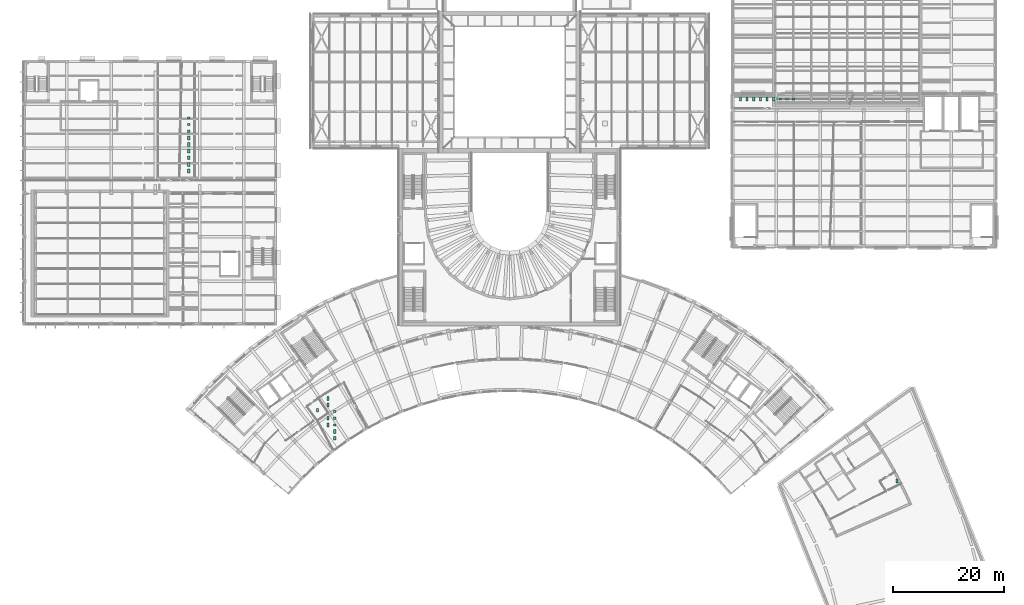
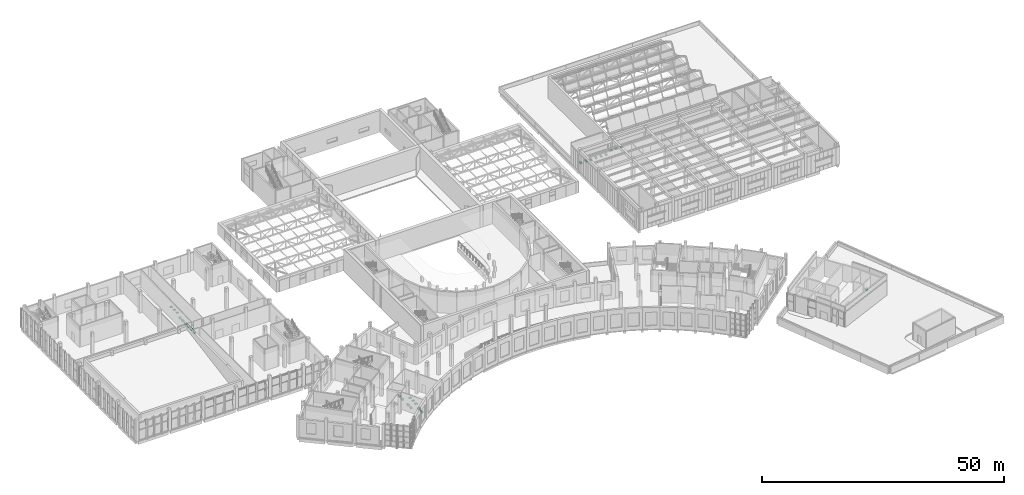
# One storey, part 132 of 132: 29 sanitary terminals.
"""IFC4 building model written with IfcOpenShell, lengths in metres."""

from ifc_helpers import new_model, si_unit, direction, frame, origin, origin_2d, place, context, subcontext, project, spatial, rectangle, extrude, material, type_object, element, save


model = new_model("IFC4")

# Units and contexts
model_context = context("Model", 3, precision=1e-05, world=origin(), true_north=direction((0.0, 1.0)))
body_context = subcontext(model_context, "Body", "Model", "MODEL_VIEW")
ifc_project = project(units=[si_unit("LENGTHUNIT", "METRE"), si_unit("AREAUNIT", "SQUARE_METRE"), si_unit("VOLUMEUNIT", "CUBIC_METRE"), si_unit("PLANEANGLEUNIT", "RADIAN"), si_unit("MASSUNIT", "GRAM", prefix="KILO")], contexts=[model_context])

# Site, building, storey
site_placement = place(None, origin())
site = spatial("IfcSite", under=ifc_project, at=site_placement, CompositionType="ELEMENT")
building_placement = place(site_placement, origin())
building = spatial("IfcBuilding", under=site, at=building_placement, Name="Lunette Opera House", CompositionType="ELEMENT")
storey_placement = place(building_placement, frame((0.0, 0.0, 17.0)))
storey = spatial("IfcBuildingStorey", under=building, at=storey_placement, Name="L03", CompositionType="ELEMENT", Elevation=17.0)

# Sanitary terminals
ifc_material_1 = material(Name="Ceramic")
sanitary_terminal_type_1 = type_object("IfcSanitaryTerminalType", Name="WASH BASIN", PredefinedType="WASHHANDBASIN", material=ifc_material_1)
for number, where, z_axis, x_axis, name in (
    (1, (64.385986328125, 46.034912109375, 0.7001953125), (0.0, 0.0, 1.0), (1.0, 0.0, 0.0), "Wash basin Public WC L03"),
    (2, (64.385986328125, 47.235107421875, 0.7001953125), (0.0, 0.0, 1.0), (1.0, 0.0, 0.0), "Wash basin Public WC L03"),
    (3, (64.385986328125, 48.43505859375, 0.7001953125), (0.0, 0.0, 1.0), (1.0, 0.0, 0.0), "Wash basin Public WC L03"),
    (4, (38.034912109375, 99.10009765625, 0.7001953125), (0.0, 0.0, 1.0), (1.0, 0.0, 0.0), "Wash basin Rehearsal Wing WC L03"),
    (5, (38.034912109375, 100.300048828125, 0.7001953125), (0.0, 0.0, 1.0), (1.0, 0.0, 0.0), "Wash basin Rehearsal Wing WC L03"),
    (6, (38.034912109375, 101.5, 0.7001953125), (0.0, 0.0, 1.0), (1.0, 0.0, 0.0), "Wash basin Rehearsal Wing WC L03"),
    (7, (144.89990234375, 104.89990234375, 0.7001953125), (0.0, 0.0, 1.0), (1.0, 0.0, 0.0), "Wash basin Workshop WC L03"),
    (8, (146.10009765625, 104.89990234375, 0.7001953125), (0.0, 0.0, 1.0), (1.0, 0.0, 0.0), "Wash basin Workshop WC L03"),
    (9, (147.300048828125, 104.89990234375, 0.7001953125), (0.0, 0.0, 1.0), (1.0, 0.0, 0.0), "Wash basin Workshop WC L03"),
):
    element("IfcSanitaryTerminal", number, at=place(storey_placement, frame(where, z_axis=z_axis, x_axis=x_axis)), inside=storey, type_object=sanitary_terminal_type_1, Name=name, PredefinedType="WASHHANDBASIN", context=body_context, shape_type="SweptSolid", body=[
        extrude(rectangle(XDim=0.5, YDim=0.39990234375, at=origin_2d()), origin(), (0.0, 0.0, 1.0), 0.199951171875),
    ])
ifc_material_2 = material(Name="Ceramic")
sanitary_terminal_type_2 = type_object("IfcSanitaryTerminalType", Name="WC PAN", PredefinedType="TOILETPAN", material=ifc_material_2)
for number, where, z_axis, x_axis, name in (
    (10, (61.281005859375, 48.69091796875, 0.0), (0.0, 0.0, 1.0), (1.0, 0.0, 0.0), "WC pan Accessible WC L03"),
    (11, (63.18603515625, 46.034912109375, 0.0), (0.0, 0.0, 1.0), (1.0, 0.0, 0.0), "WC pan Public WC L03"),
    (12, (63.18603515625, 47.235107421875, 0.0), (0.0, 0.0, 1.0), (1.0, 0.0, 0.0), "WC pan Public WC L03"),
    (13, (63.18603515625, 49.635009765625, 0.0), (0.0, 0.0, 1.0), (1.0, 0.0, 0.0), "WC pan Public WC L03"),
    (14, (63.18603515625, 50.8349609375, 0.0), (0.0, 0.0, 1.0), (1.0, 0.0, 0.0), "WC pan Public WC L03"),
    (15, (64.385986328125, 43.635009765625, 0.0), (0.0, 0.0, 1.0), (1.0, 0.0, 0.0), "WC pan Public WC L03"),
    (16, (64.385986328125, 44.8349609375, 0.0), (0.0, 0.0, 1.0), (1.0, 0.0, 0.0), "WC pan Public WC L03"),
    (17, (38.034912109375, 91.89990234375, 0.0), (0.0, 0.0, 1.0), (1.0, 0.0, 0.0), "WC pan Rehearsal Wing WC L03"),
    (18, (38.034912109375, 93.10009765625, 0.0), (0.0, 0.0, 1.0), (1.0, 0.0, 0.0), "WC pan Rehearsal Wing WC L03"),
    (19, (38.034912109375, 94.300048828125, 0.0), (0.0, 0.0, 1.0), (1.0, 0.0, 0.0), "WC pan Rehearsal Wing WC L03"),
    (20, (38.034912109375, 95.5, 0.0), (0.0, 0.0, 1.0), (1.0, 0.0, 0.0), "WC pan Rehearsal Wing WC L03"),
    (21, (38.034912109375, 96.699951171875, 0.0), (0.0, 0.0, 1.0), (1.0, 0.0, 0.0), "WC pan Rehearsal Wing WC L03"),
    (22, (38.034912109375, 97.89990234375, 0.0), (0.0, 0.0, 1.0), (1.0, 0.0, 0.0), "WC pan Rehearsal Wing WC L03"),
    (23, (137.699951171875, 104.89990234375, 0.0), (0.0, 0.0, 1.0), (1.0, 0.0, 0.0), "WC pan Workshop WC L03"),
    (24, (138.89990234375, 104.89990234375, 0.0), (0.0, 0.0, 1.0), (1.0, 0.0, 0.0), "WC pan Workshop WC L03"),
    (25, (140.10009765625, 104.89990234375, 0.0), (0.0, 0.0, 1.0), (1.0, 0.0, 0.0), "WC pan Workshop WC L03"),
    (26, (141.300048828125, 104.89990234375, 0.0), (0.0, 0.0, 1.0), (1.0, 0.0, 0.0), "WC pan Workshop WC L03"),
    (27, (142.5, 104.89990234375, 0.0), (0.0, 0.0, 1.0), (1.0, 0.0, 0.0), "WC pan Workshop WC L03"),
    (28, (143.699951171875, 104.89990234375, 0.0), (0.0, 0.0, 1.0), (1.0, 0.0, 0.0), "WC pan Workshop WC L03"),
    (29, (165.97802734375, 35.903076171875, 0.0), (0.0, 0.0, 1.0), (1.0, 0.0, 0.0), "WC pan Accessible WC L03 Studio"),
):
    element("IfcSanitaryTerminal", number, at=place(storey_placement, frame(where, z_axis=z_axis, x_axis=x_axis)), inside=storey, type_object=sanitary_terminal_type_2, Name=name, PredefinedType="TOILETPAN", context=body_context, shape_type="SweptSolid", body=[
        extrude(rectangle(XDim=0.39990234375, YDim=0.699951171875, at=origin_2d()), origin(), (0.0, 0.0, 1.0), 0.39990234375),
    ])

save(model, "model.ifc")
